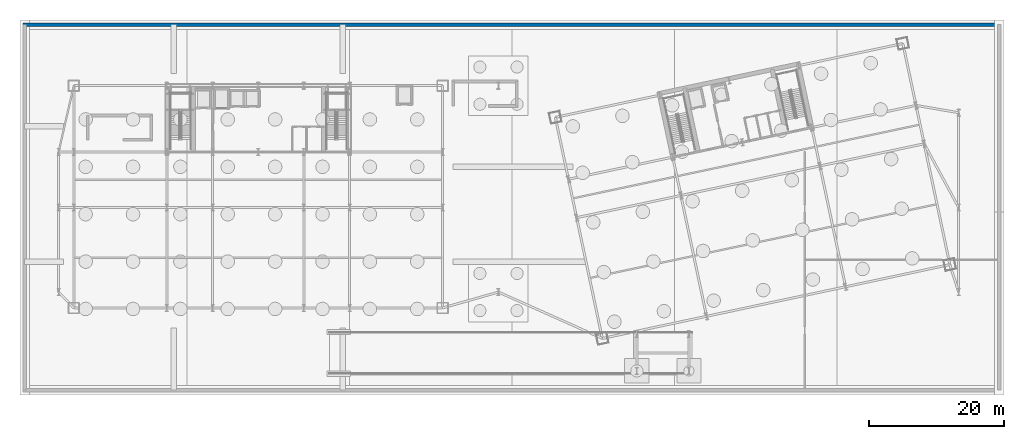
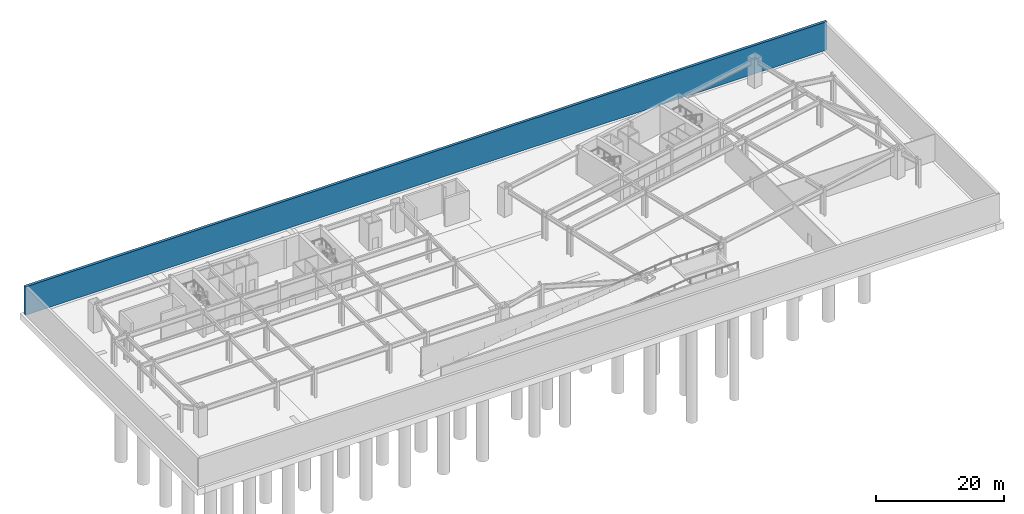
# One storey, part 9 of 15: 1 wall.
"""IFC4 building model written with IfcOpenShell, lengths in metres."""

from ifc_helpers import new_model, si_unit, direction, frame, frame_2d, origin, place, context, subcontext, project, spatial, rectangle, extrude, material, layer, layer_set, type_object, element, save


model = new_model("IFC4")

# Units and contexts
model_context = context("Model", 3, precision=1e-05, world=origin(), true_north=direction((0.0, 1.0)))
body_context = subcontext(model_context, "Body", "Model", "MODEL_VIEW")
ifc_project = project(units=[si_unit("LENGTHUNIT", "METRE"), si_unit("AREAUNIT", "SQUARE_METRE"), si_unit("VOLUMEUNIT", "CUBIC_METRE"), si_unit("PLANEANGLEUNIT", "RADIAN"), si_unit("MASSUNIT", "GRAM", prefix="KILO")], contexts=[model_context])

# Site, building, storey
site_placement = place(None, origin())
site = spatial("IfcSite", under=ifc_project, at=site_placement, CompositionType="ELEMENT")
building_placement = place(site_placement, origin())
building = spatial("IfcBuilding", under=site, at=building_placement, Name="Haevon Station Towers", CompositionType="ELEMENT")
storey_placement = place(building_placement, frame((0.0, 0.0, -10.800048828125)))
storey = spatial("IfcBuildingStorey", under=building, at=storey_placement, Name="B02", CompositionType="ELEMENT", Elevation=-10.800048828125)

# Wall
ifc_material = material(Name="Concrete C50/60", Category="concrete")
ifc_layer = layer(ifc_material, 0.5)
ifc_layer_set = layer_set([ifc_layer], Name="Concrete C50/60")
wall_type = type_object("IfcWallType", Name="WL-RET500", PredefinedType="SOLIDWALL", material=ifc_layer_set)
wall_placement = place(storey_placement, frame((2.75, 57.0, 0.0), z_axis=(0.0, 0.0, 1.0), x_axis=(1.0, 0.0, 0.0)))
element("IfcWall", 1, at=wall_placement, inside=storey, type_object=wall_type, Name="WL-RET-B02-N", PredefinedType="SOLIDWALL", context=body_context, shape_type="SweptSolid", body=[
    extrude(rectangle(XDim=144.5, YDim=0.5, at=frame_2d((72.25, 0.0))), origin(), (0.0, 0.0, 1.0), 5.400146484375),
])

save(model, "model.ifc")
